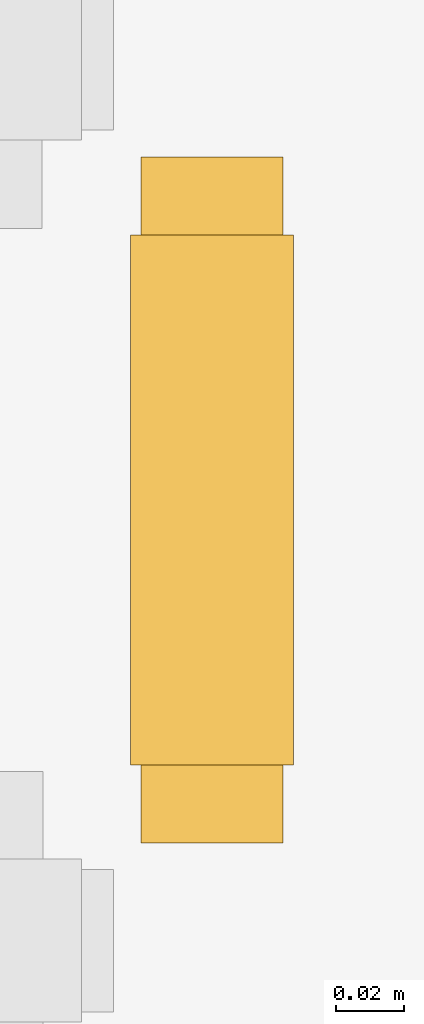
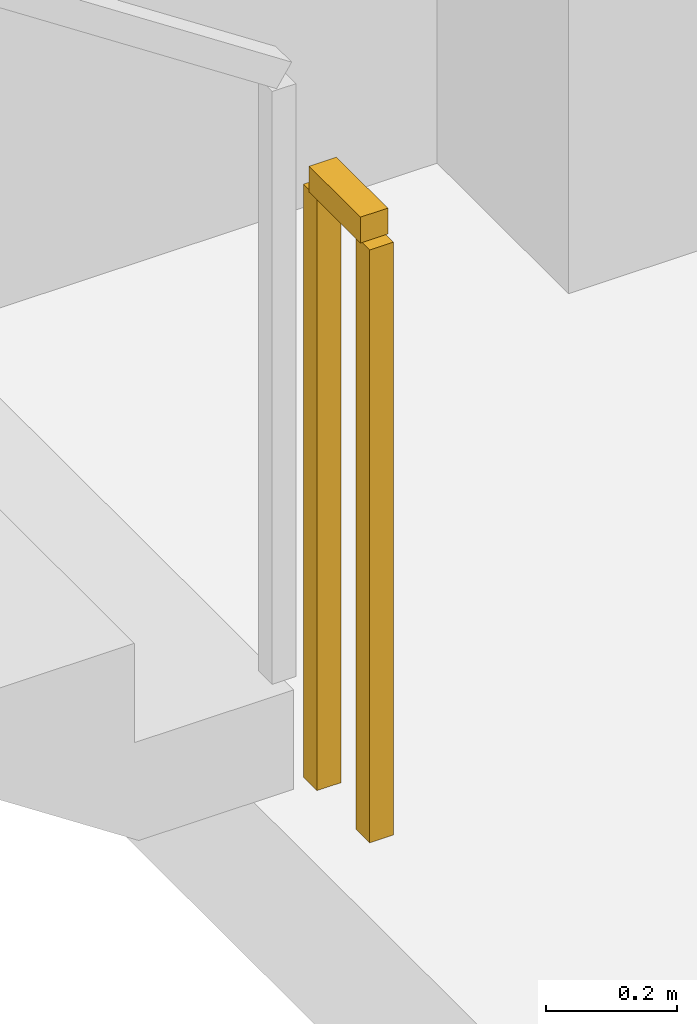
# One storey, part 13 of 15: 1 railing.
"""IFC4 building model written with IfcOpenShell, lengths in metres."""

from ifc_helpers import new_model, si_unit, direction, frame, origin, origin_2d, place, context, subcontext, project, spatial, rectangle, extrude, material, type_object, element, save


model = new_model("IFC4")

# Units and contexts
model_context = context("Model", 3, precision=1e-05, world=origin(), true_north=direction((0.0, 1.0)))
body_context = subcontext(model_context, "Body", "Model", "MODEL_VIEW")
ifc_project = project(units=[si_unit("LENGTHUNIT", "METRE"), si_unit("AREAUNIT", "SQUARE_METRE"), si_unit("VOLUMEUNIT", "CUBIC_METRE"), si_unit("PLANEANGLEUNIT", "RADIAN"), si_unit("MASSUNIT", "GRAM", prefix="KILO")], contexts=[model_context])

# Site, building, storey
site_placement = place(None, origin())
site = spatial("IfcSite", under=ifc_project, at=site_placement, CompositionType="ELEMENT")
building_placement = place(site_placement, origin())
building = spatial("IfcBuilding", under=site, at=building_placement, Name="Zarnavel Station Tower", CompositionType="ELEMENT")
storey_placement = place(building_placement, frame((0.0, 0.0, 24.199951171875)))
storey = spatial("IfcBuildingStorey", under=building, at=storey_placement, Name="L06", CompositionType="ELEMENT", Elevation=24.199951171875)

# Railing
ifc_material = material(Name="Painted Steel S355J2 Balustrade", Category="steel")
railing_type = type_object("IfcRailingType", Name="GR_INT_1150", PredefinedType="GUARDRAIL", material=ifc_material)
railing_placement = place(storey_placement, frame((19.530029296875, 35.320068359375, 0.0)))
element("IfcRailing", 1, at=railing_placement, inside=storey, type_object=railing_type, Name="L06 ST1 stair guard 4", PredefinedType="GUARDRAIL", context=body_context, shape_type="SweptSolid", body=[
    extrude(rectangle(XDim=0.048095703125, YDim=0.048095703125, at=origin_2d()), frame((0.0, -0.001953125, 1.1259765625), z_axis=(0.0, -1.0, 0.0), x_axis=(1.0, 0.0, 0.0)), (0.0, 0.0, 1.0), 0.15625),
    extrude(rectangle(XDim=0.0419921875, YDim=0.0419921875, at=origin_2d()), origin(), (0.0, 0.0, 1.0), 1.101806640625),
    extrude(rectangle(XDim=0.0419921875, YDim=0.0419921875, at=origin_2d()), frame((0.0, -0.16015625, 0.0)), (0.0, 0.0, 1.0), 1.101806640625),
])

save(model, "model.ifc")
